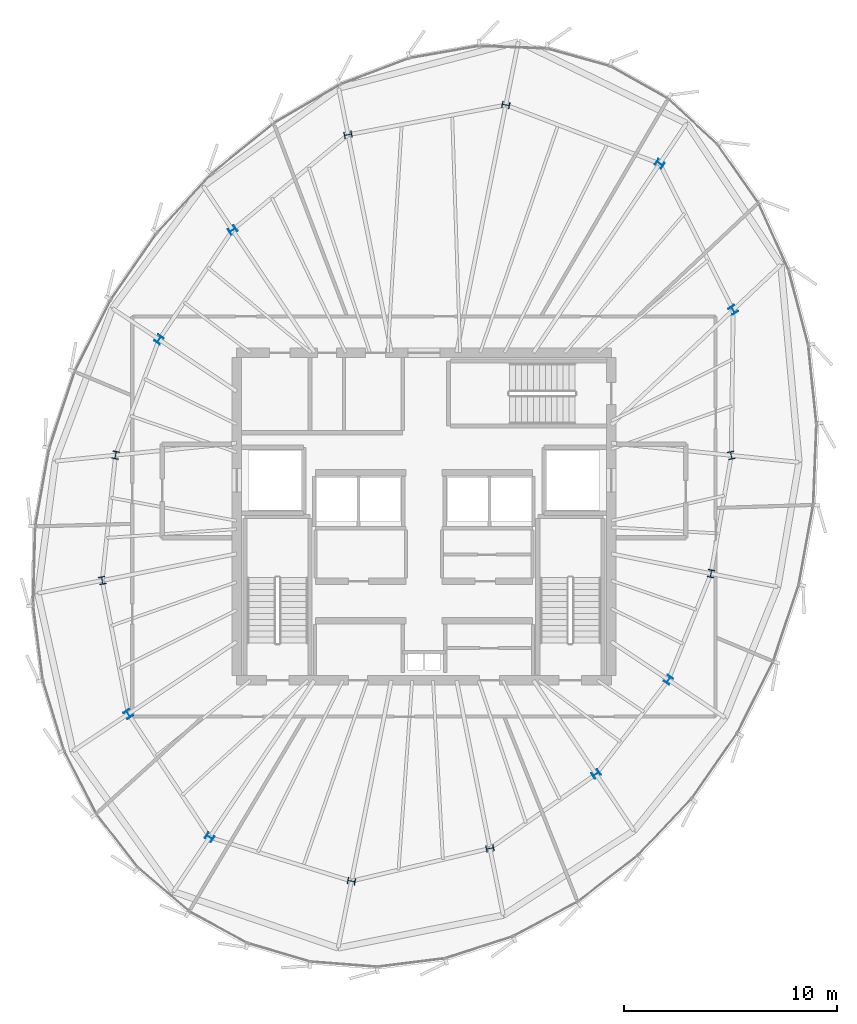
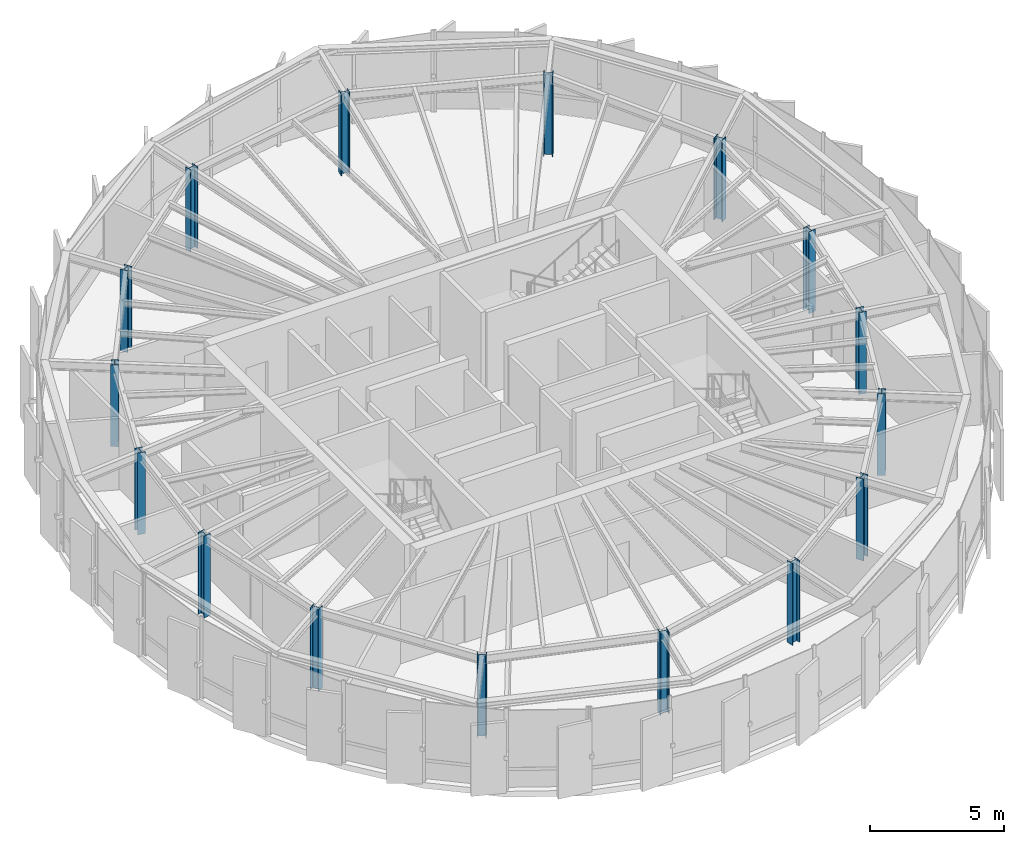
# One storey, part 1 of 25: 16 columns.
"""IFC4 building model written with IfcOpenShell, lengths in metres."""

import ifcopenshell
import ifcopenshell.guid

model = None  # the IFC model being written
_history = None  # IfcOwnerHistory: only IFC2X3 demands one
_inside = {}  # id of a spatial element -> (the spatial element, [elements in it])
_under = {}  # id of a project, library or spatial element -> (it, [spatial elements below it])
_declared = {}  # id of a project -> (the project, [libraries it declares])
_typed = {}  # id of a type object -> (the type object, [elements of that type])
_made_of = {}  # id of a material, layer set ... -> (it, [elements and type objects made of it])


def new_model(schema):
    """Start an empty IFC model of exactly this schema.

    Asked for "IFC4X3", IfcOpenShell would pick the latest addendum, in which some entities
    have other attributes; the version numbers below select the first issue.
    IFC2X3 requires an IfcOwnerHistory on every rooted entity: one is made here for all.
    """
    global model, _history
    if schema == "IFC4X3":
        model = ifcopenshell.file(schema_version=(4, 3, 0, 0))
    else:
        model = ifcopenshell.file(schema=schema)
    _inside.clear()
    _under.clear()
    _declared.clear()
    _typed.clear()
    _made_of.clear()
    _history = None
    if model.schema == "IFC2X3":
        org = make("IfcOrganization", Name="unknown")
        user = make(
            "IfcPersonAndOrganization",
            ThePerson=make("IfcPerson", FamilyName="unknown"),
            TheOrganization=org,
        )
        app = make(
            "IfcApplication",
            ApplicationDeveloper=org,
            Version="unknown",
            ApplicationFullName="unknown",
            ApplicationIdentifier="unknown",
        )
        _history = make(
            "IfcOwnerHistory",
            OwningUser=user,
            OwningApplication=app,
            ChangeAction="ADDED",
            CreationDate=0,
        )
    return model


def make(cls, **values):
    """One entity of the class cls with the attributes given. An attribute that is None is left unset."""
    return model.create_entity(
        cls, **{name: value for name, value in values.items() if value is not None}
    )


def rooted(cls, **values):
    """An entity with a GlobalId (a new one), such as an element, a storey or a relation."""
    return make(cls, GlobalId=ifcopenshell.guid.new(), OwnerHistory=_history, **values)


def si_unit(unit_type, name, prefix=None):
    """IfcSIUnit, for example si_unit("LENGTHUNIT", "METRE", prefix="MILLI")."""
    return make("IfcSIUnit", UnitType=unit_type, Prefix=prefix, Name=name)


def assignment(units):
    """IfcUnitAssignment: the units of a project."""
    return None if units is None else make("IfcUnitAssignment", Units=units)


def point(xyz):
    """IfcCartesianPoint."""
    return None if xyz is None else make("IfcCartesianPoint", Coordinates=xyz)


def direction(xyz):
    """IfcDirection."""
    return None if xyz is None else make("IfcDirection", DirectionRatios=xyz)


def frame(location, z_axis=None, x_axis=None):
    """IfcAxis2Placement3D, a coordinate frame: its origin and axes. An axis left out is left unset."""
    return make(
        "IfcAxis2Placement3D",
        Location=point(location),
        Axis=direction(z_axis),
        RefDirection=direction(x_axis),
    )


def frame_2d(location, x_axis=None):
    """IfcAxis2Placement2D, a coordinate frame in the plane: its origin and x axis."""
    return make(
        "IfcAxis2Placement2D", Location=point(location), RefDirection=direction(x_axis)
    )


def origin():
    """The frame at (0, 0, 0) with its axes left unset."""
    return frame((0.0, 0.0, 0.0))


def origin_2d():
    """The frame at (0, 0) in the plane with its x axis left unset."""
    return frame_2d((0.0, 0.0))


def place(relative_to, where):
    """IfcLocalPlacement: puts the frame where relative to a parent placement (None: the world)."""
    return make(
        "IfcLocalPlacement", PlacementRelTo=relative_to, RelativePlacement=where
    )


def context(
    kind, dimensions, precision=None, world=None, true_north=None, identifier=None
):
    """IfcGeometricRepresentationContext, for example the 3D "Model" context."""
    return make(
        "IfcGeometricRepresentationContext",
        ContextIdentifier=identifier,
        ContextType=kind,
        CoordinateSpaceDimension=dimensions,
        Precision=precision,
        WorldCoordinateSystem=world,
        TrueNorth=true_north,
    )


def subcontext(parent, identifier, kind, view, scale=None):
    """IfcGeometricRepresentationSubContext, for example "Body" below "Model"."""
    return make(
        "IfcGeometricRepresentationSubContext",
        ContextIdentifier=identifier,
        ContextType=kind,
        ParentContext=parent,
        TargetScale=scale,
        TargetView=view,
    )


def project(units=None, contexts=None):
    """IfcProject with its units and contexts."""
    return rooted(
        "IfcProject",
        Name="project",
        RepresentationContexts=contexts,
        UnitsInContext=assignment(units),
    )


def spatial(cls, under=None, at=None, **own):
    """A site, building, storey or space (cls), placed at a placement, below another one or the project."""
    s = rooted(cls, ObjectPlacement=at, **own)
    if under is not None:
        _under.setdefault(under.id(), (under, []))[1].append(s)
    return s


def profile(cls, at=None, kind="AREA", **sizes):
    """A parametric profile (cls). Its sizes go by their IFC names, for example OverallWidth=200.0."""
    return make(cls, ProfileType=kind, Position=at, **sizes)


def i_section(**sizes):
    """IfcIShapeProfileDef."""
    return profile("IfcIShapeProfileDef", **sizes)


def extrude(swept, where, along, depth):
    """IfcExtrudedAreaSolid: the profile swept, set in the frame where, extruded along a direction by depth."""
    return make(
        "IfcExtrudedAreaSolid",
        SweptArea=swept,
        Position=where,
        ExtrudedDirection=direction(along),
        Depth=depth,
    )


def shape(context_of_items, identifier, shape_type, items):
    """IfcShapeRepresentation: the items that make up one representation, for example the "Body"."""
    return make(
        "IfcShapeRepresentation",
        ContextOfItems=context_of_items,
        RepresentationIdentifier=identifier,
        RepresentationType=shape_type,
        Items=items,
    )


def source(mapping_origin, context_of_items, identifier, shape_type, items):
    """IfcRepresentationMap: a shape defined once, which mapped items show again and again."""
    return make(
        "IfcRepresentationMap",
        MappingOrigin=mapping_origin,
        MappedRepresentation=shape(context_of_items, identifier, shape_type, items),
    )


def transform(
    local_origin,
    x_axis=None,
    y_axis=None,
    z_axis=None,
    scale=None,
    scale2=None,
    scale3=None,
    uniform=True,
):
    """IfcCartesianTransformationOperator3D, or its non-uniform kind. x_axis, y_axis, z_axis: its Axis1, 2, 3."""
    if uniform:
        return make(
            "IfcCartesianTransformationOperator3D",
            Axis1=direction(x_axis),
            Axis2=direction(y_axis),
            LocalOrigin=point(local_origin),
            Scale=scale,
            Axis3=direction(z_axis),
        )
    return make(
        "IfcCartesianTransformationOperator3DnonUniform",
        Axis1=direction(x_axis),
        Axis2=direction(y_axis),
        LocalOrigin=point(local_origin),
        Scale=scale,
        Axis3=direction(z_axis),
        Scale2=scale2,
        Scale3=scale3,
    )


def mapped(mapping_source, mapping_target):
    """IfcMappedItem: shows the shape of a source again, moved by a transform."""
    return make(
        "IfcMappedItem", MappingSource=mapping_source, MappingTarget=mapping_target
    )


def material(Name=None, Category=None):
    """IfcMaterial."""
    return make("IfcMaterial", Name=Name, Category=Category)


def material_profile(
    of_material, cross_section, Name=None, Category=None, Priority=None
):
    """IfcMaterialProfile: a cross section and its material."""
    return make(
        "IfcMaterialProfile",
        Name=Name,
        Material=of_material,
        Profile=cross_section,
        Priority=Priority,
        Category=Category,
    )


def profile_set(profiles, Name=None, composite=None):
    """IfcMaterialProfileSet."""
    return make(
        "IfcMaterialProfileSet",
        Name=Name,
        MaterialProfiles=profiles,
        CompositeProfile=composite,
    )


def made_of(thing, what):
    """Note that an element or type object is made of a material, layer set ...; save() writes the relation."""
    if what is not None:
        _made_of.setdefault(what.id(), (what, []))[1].append(thing)
    return thing


def type_object(cls, material=None, **own):
    """A type object (cls), such as IfcWallType, which elements share."""
    return made_of(rooted(cls, **own), material)


def element(
    cls,
    number,
    at=None,
    inside=None,
    cuts=None,
    type_object=None,
    material=None,
    context=None,
    identifier="Body",
    shape_type=None,
    held_by="IfcProductDefinitionShape",
    body=None,
    shapes=None,
    **own,
):
    """One element of the class cls, such as IfcWall. Its Tag is "e" and its number.

    at: its placement. inside: the storey or other place that contains it. cuts: it is an
    opening in that element (IfcRelVoidsElement). A single representation is given by context,
    identifier, shape_type and body (its items); several are given by shapes. held_by: the class
    of the entity that holds the representations. save() writes the other relations.
    """
    e = rooted(cls, Tag="e%d" % number, ObjectPlacement=at, **own)
    if body is not None:
        shapes = [shape(context, identifier, shape_type, body)]
    if shapes is not None:
        e.Representation = make(held_by, Representations=shapes)
    if inside is not None:
        _inside.setdefault(inside.id(), (inside, []))[1].append(e)
    if cuts is not None:
        rooted(
            "IfcRelVoidsElement", RelatingBuildingElement=cuts, RelatedOpeningElement=e
        )
    if type_object is not None:
        _typed.setdefault(type_object.id(), (type_object, []))[1].append(e)
    return made_of(e, material)


def aggregate(whole, parts):
    """IfcRelAggregates: a whole, such as a stair, and the parts it consists of."""
    return rooted("IfcRelAggregates", RelatingObject=whole, RelatedObjects=parts)


def save(model, path):
    """Write the relations noted so far, then the file.

    IfcRelAggregates (storeys below a building ...), IfcRelContainedInSpatialStructure (elements
    in a storey), IfcRelDefinesByType, IfcRelAssociatesMaterial and IfcRelDeclares: one each for
    every whole, place, type object, material and project.
    """
    for whole, parts in _under.values():
        aggregate(whole, parts)
    for where, things in _inside.values():
        rooted(
            "IfcRelContainedInSpatialStructure",
            RelatedElements=things,
            RelatingStructure=where,
        )
    for kind, things in _typed.values():
        rooted("IfcRelDefinesByType", RelatedObjects=things, RelatingType=kind)
    for what, things in _made_of.values():
        rooted("IfcRelAssociatesMaterial", RelatedObjects=things, RelatingMaterial=what)
    for by, libraries in _declared.values():
        rooted("IfcRelDeclares", RelatingContext=by, RelatedDefinitions=libraries)
    model.write(path)


model = new_model("IFC4")

# Units and contexts
model_context = context("Model", 3, precision=1e-05, world=origin(), true_north=direction((0.0, 1.0)))
body_context = subcontext(model_context, "Body", "Model", "MODEL_VIEW")
ifc_project = project(units=[si_unit("LENGTHUNIT", "METRE"), si_unit("AREAUNIT", "SQUARE_METRE"), si_unit("VOLUMEUNIT", "CUBIC_METRE"), si_unit("PLANEANGLEUNIT", "RADIAN"), si_unit("MASSUNIT", "GRAM", prefix="KILO"), si_unit("THERMODYNAMICTEMPERATUREUNIT", "KELVIN")], contexts=[model_context])

# Site, building, storey
site_placement = place(None, origin())
site = spatial("IfcSite", under=ifc_project, at=site_placement, CompositionType="ELEMENT")
building_placement = place(site_placement, origin())
building = spatial("IfcBuilding", under=site, at=building_placement, Name="Kethvar Cultural Tower", CompositionType="ELEMENT")
storey_placement = place(building_placement, frame((0.0, 0.0, 304.300048828125)))
storey = spatial("IfcBuildingStorey", under=building, at=storey_placement, Name="L81", CompositionType="ELEMENT", Elevation=304.300048828125)

# Columns
ifc_material = material(Name="Steel S355J2", Category="steel")
ifc_material_profile = material_profile(ifc_material, i_section(OverallWidth=0.30908203125, OverallDepth=0.35888671875, WebThickness=0.01611328125, FlangeThickness=0.02587890625, FilletRadius=0.027099609375, at=origin_2d()), Name="Steel S355J2 — HD320x245")
ifc_profile_set = profile_set([ifc_material_profile], Name="Steel S355J2 — HD320x245")
column_type = type_object("IfcColumnType", Name="COL-HD245", PredefinedType="COLUMN", material=ifc_profile_set)
shared_shape = source(origin(), body_context, "Body", "SweptSolid", [
    extrude(i_section(OverallWidth=0.30908203125, OverallDepth=0.35888671875, WebThickness=0.01611328125, FlangeThickness=0.02587890625, FilletRadius=0.027099609375, at=origin_2d()), origin(), (0.0, 0.0, 1.0), 3.73486328125),
])
for number, where, z_axis, x_axis, name in (
    (1, (61.237060546875, 30.671630859375, 0.0), (0.0, 0.0, 1.0), (0.980785280403, 0.195090322016, 0.0), "L81 Mega-Column MC-01"),
    (2, (61.32568359375, 37.505859375, 0.0), (0.0, 0.0, 1.0), (0.831469612303, 0.55557023302, 0.0), "L81 Mega-Column MC-02"),
    (3, (57.875244140625, 44.375, 0.0), (0.0, 0.0, 1.0), (0.55557023302, 0.831469612303, 0.0), "L81 Mega-Column MC-03"),
    (4, (50.645263671875, 47.131591796875, 0.0), (0.0, 0.0, 1.0), (0.195090322016, 0.980785280403, 0.0), "L81 Mega-Column MC-04"),
    (5, (43.23291015625, 45.732421875, 0.0), (0.0, 0.0, 1.0), (-0.195090322016, 0.980785280403, 0.0), "L81 Mega-Column MC-05"),
    (6, (37.8095703125, 41.255126953125, 0.0), (0.0, 0.0, 1.0), (-0.55557023302, 0.831469612303, 0.0), "L81 Mega-Column MC-06"),
    (7, (34.35595703125, 36.114990234375, 0.0), (0.0, 0.0, 1.0), (-0.831469612303, 0.55557023302, 0.0), "L81 Mega-Column MC-07"),
    (8, (32.3125, 30.681884765625, 0.0), (0.0, 0.0, 1.0), (-0.980785280403, 0.195090322016, 0.0), "L81 Mega-Column MC-08"),
    (9, (31.68310546875, 24.79296875, 0.0), (0.0, 0.0, 1.0), (-0.980785280403, -0.195090322016, 0.0), "L81 Mega-Column MC-09"),
    (10, (32.912841796875, 18.52099609375, 0.0), (0.0, 0.0, 1.0), (-0.831469612303, -0.55557023302, 0.0), "L81 Mega-Column MC-10"),
    (11, (36.731201171875, 12.73095703125, 0.0), (0.0, 0.0, 1.0), (-0.55557023302, -0.831469612303, 0.0), "L81 Mega-Column MC-11"),
    (12, (43.392822265625, 10.67138671875, 0.0), (0.0, 0.0, 1.0), (-0.195090322016, -0.980785280403, 0.0), "L81 Mega-Column MC-12"),
    (13, (49.901611328125, 12.206787109375, 0.0), (0.0, 0.0, 1.0), (0.195090322016, -0.980785280403, 0.0), "L81 Mega-Column MC-13"),
    (14, (54.885009765625, 15.7001953125, 0.0), (0.0, 0.0, 1.0), (0.55557023302, -0.831469612303, 0.0), "L81 Mega-Column MC-14"),
    (15, (58.287109375, 20.12451171875, 0.0), (0.0, 0.0, 1.0), (0.831469612303, -0.55557023302, 0.0), "L81 Mega-Column MC-15"),
    (16, (60.28369140625, 25.117919921875, 0.0), (0.0, 0.0, 1.0), (0.980785280403, -0.195090322016, 0.0), "L81 Mega-Column MC-16"),
):
    element("IfcColumn", number, at=place(storey_placement, frame(where, z_axis=z_axis, x_axis=x_axis)), inside=storey, type_object=column_type, Name=name, PredefinedType="COLUMN", context=body_context, shape_type="MappedRepresentation", body=[
        mapped(shared_shape, transform((0.0, 0.0, 0.0), scale=1.0)),
    ])

save(model, "model.ifc")
